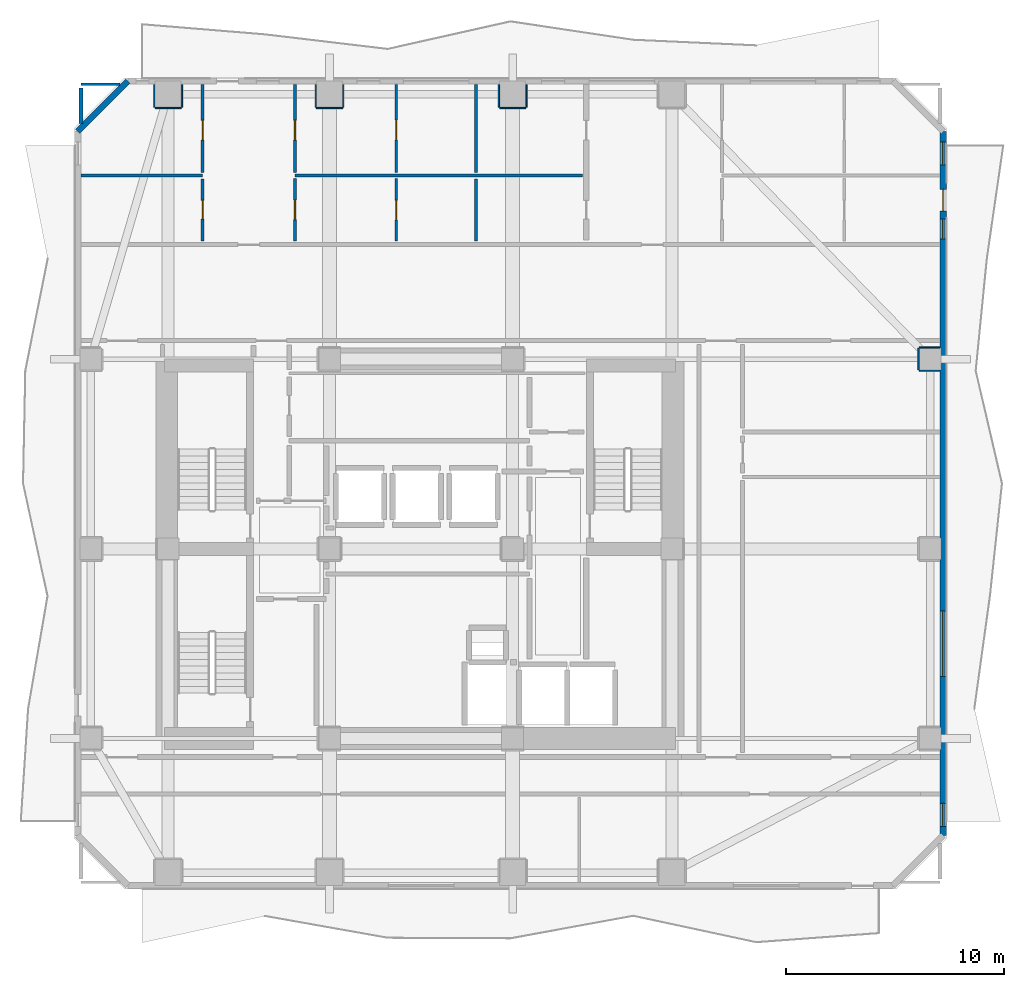
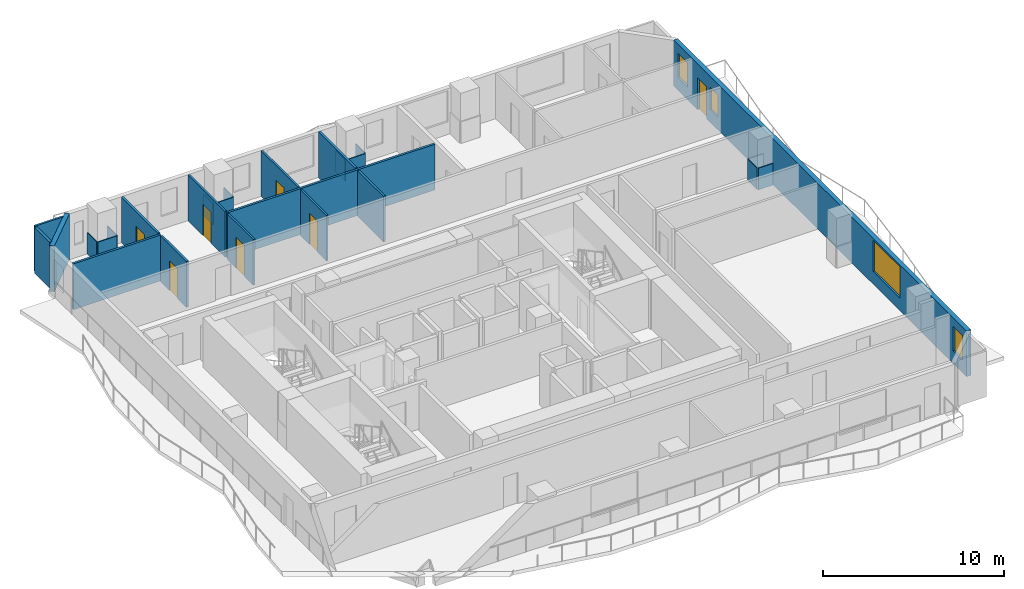
# One storey, part 5 of 11: 26 walls, 7 doors, 4 windows, 11 openings.
"""IFC4 building model written with IfcOpenShell, lengths in metres."""

from ifc_helpers import new_model, si_unit, direction, frame, frame_2d, origin, place, context, subcontext, project, spatial, rectangle, extrude, material, layer, layer_set, type_object, element, fill, save


model = new_model("IFC4")

# Units and contexts
model_context = context("Model", 3, precision=1e-05, world=origin(), true_north=direction((0.0, 1.0)))
body_context = subcontext(model_context, "Body", "Model", "MODEL_VIEW")
ifc_project = project(units=[si_unit("LENGTHUNIT", "METRE"), si_unit("AREAUNIT", "SQUARE_METRE"), si_unit("VOLUMEUNIT", "CUBIC_METRE"), si_unit("PLANEANGLEUNIT", "RADIAN"), si_unit("MASSUNIT", "GRAM", prefix="KILO")], contexts=[model_context])

# Site, building, storey
site_placement = place(None, origin())
site = spatial("IfcSite", under=ifc_project, at=site_placement, CompositionType="ELEMENT")
building_placement = place(site_placement, origin())
building = spatial("IfcBuilding", under=site, at=building_placement, Name="Solanera Arch Residences", CompositionType="ELEMENT")
storey_placement = place(building_placement, frame((0.0, 0.0, 159.199951171875)))
storey = spatial("IfcBuildingStorey", under=building, at=storey_placement, Name="L46", CompositionType="ELEMENT", Elevation=159.199951171875)

# Walls
ifc_material_1 = material(Name="Fire-Rated Gypsum Stud Partition", Category="gypsum")
ifc_layer_1 = layer(ifc_material_1, 0.06005859375)
ifc_layer_set_1 = layer_set([ifc_layer_1], Name="Fire-Rated Gypsum Stud Partition")
wall_type_1 = type_object("IfcWallType", Name="Column Acoustic Furring Wall 60", PredefinedType="PARTITIONING", material=ifc_layer_set_1)
wall_1_placement = place(storey_placement, frame((12.800048828125, 50.91796875, 0.0), z_axis=(0.0, 0.0, 1.0), x_axis=(1.0, 0.0, 0.0)))
element("IfcWall", 1, at=wall_1_placement, inside=storey, type_object=wall_type_1, Name="L46 Column Furring 10S", PredefinedType="PARTITIONING", context=body_context, shape_type="SweptSolid", body=[
    extrude(rectangle(XDim=1.199951171875, YDim=0.06005859375, at=frame_2d((0.60009765625, 0.0))), origin(), (0.0, 0.0, 1.0), 1.449951171875),
])
for number, where, z_axis, x_axis, name in (
    (2, (12.76806640625, 50.949951171875, 0.0), (0.0, 0.0, 1.0), (0.0, 1.0, 0.0), "L46 Column Furring 10W"),
    (3, (14.031982421875, 50.949951171875, 0.0), (0.0, 0.0, 1.0), (0.0, 1.0, 0.0), "L46 Column Furring 10E"),
):
    element("IfcWall", number, at=place(storey_placement, frame(where, z_axis=z_axis, x_axis=x_axis)), inside=storey, type_object=wall_type_1, Name=name, PredefinedType="PARTITIONING", context=body_context, shape_type="SweptSolid", body=[
        extrude(rectangle(XDim=1.0400390625, YDim=0.06005859375, at=frame_2d((0.52001953125, 0.0))), origin(), (0.0, 0.0, 1.0), 1.449951171875),
    ])
wall_2_placement = place(storey_placement, frame((20.199951171875, 50.91796875, 0.0), z_axis=(0.0, 0.0, 1.0), x_axis=(1.0, 0.0, 0.0)))
element("IfcWall", 4, at=wall_2_placement, inside=storey, type_object=wall_type_1, Name="L46 Column Furring 12S", PredefinedType="PARTITIONING", context=body_context, shape_type="SweptSolid", body=[
    extrude(rectangle(XDim=1.199951171875, YDim=0.06005859375, at=frame_2d((0.60009765625, 0.0))), origin(), (0.0, 0.0, 1.0), 1.449951171875),
])
for number, where, z_axis, x_axis, name in (
    (5, (20.16796875, 50.949951171875, 0.0), (0.0, 0.0, 1.0), (0.0, 1.0, 0.0), "L46 Column Furring 12W"),
    (6, (21.431884765625, 50.949951171875, 0.0), (0.0, 0.0, 1.0), (0.0, 1.0, 0.0), "L46 Column Furring 12E"),
):
    element("IfcWall", number, at=place(storey_placement, frame(where, z_axis=z_axis, x_axis=x_axis)), inside=storey, type_object=wall_type_1, Name=name, PredefinedType="PARTITIONING", context=body_context, shape_type="SweptSolid", body=[
        extrude(rectangle(XDim=1.0400390625, YDim=0.06005859375, at=frame_2d((0.52001953125, 0.0))), origin(), (0.0, 0.0, 1.0), 1.449951171875),
    ])
wall_3_placement = place(storey_placement, frame((28.60009765625, 50.91796875, 0.0), z_axis=(0.0, 0.0, 1.0), x_axis=(1.0, 0.0, 0.0)))
element("IfcWall", 7, at=wall_3_placement, inside=storey, type_object=wall_type_1, Name="L46 Column Furring 14S", PredefinedType="PARTITIONING", context=body_context, shape_type="SweptSolid", body=[
    extrude(rectangle(XDim=1.199951171875, YDim=0.06005859375, at=frame_2d((0.60009765625, 0.0))), origin(), (0.0, 0.0, 1.0), 1.449951171875),
])
for number, where, z_axis, x_axis, name in (
    (8, (28.568115234375, 50.949951171875, 0.0), (0.0, 0.0, 1.0), (0.0, 1.0, 0.0), "L46 Column Furring 14W"),
    (9, (29.83203125, 50.949951171875, 0.0), (0.0, 0.0, 1.0), (0.0, 1.0, 0.0), "L46 Column Furring 14E"),
):
    element("IfcWall", number, at=place(storey_placement, frame(where, z_axis=z_axis, x_axis=x_axis)), inside=storey, type_object=wall_type_1, Name=name, PredefinedType="PARTITIONING", context=body_context, shape_type="SweptSolid", body=[
        extrude(rectangle(XDim=1.0400390625, YDim=0.06005859375, at=frame_2d((0.52001953125, 0.0))), origin(), (0.0, 0.0, 1.0), 1.449951171875),
    ])
for number, where, z_axis, x_axis, name in (
    (10, (47.85009765625, 38.867919921875, 0.0), (0.0, 0.0, 1.0), (1.0, 0.0, 0.0), "L46 Column Furring 22S"),
    (11, (47.85009765625, 39.931884765625, 0.0), (0.0, 0.0, 1.0), (1.0, 0.0, 0.0), "L46 Column Furring 22N"),
):
    element("IfcWall", number, at=place(storey_placement, frame(where, z_axis=z_axis, x_axis=x_axis)), inside=storey, type_object=wall_type_1, Name=name, PredefinedType="PARTITIONING", context=body_context, shape_type="SweptSolid", body=[
        extrude(rectangle(XDim=0.93994140625, YDim=0.06005859375, at=frame_2d((0.469970703125, 0.0))), origin(), (0.0, 0.0, 1.0), 1.449951171875),
    ])
wall_4_placement = place(storey_placement, frame((47.818115234375, 38.89990234375, 0.0), z_axis=(0.0, 0.0, 1.0), x_axis=(0.0, 1.0, 0.0)))
element("IfcWall", 12, at=wall_4_placement, inside=storey, type_object=wall_type_1, Name="L46 Column Furring 22W", PredefinedType="PARTITIONING", context=body_context, shape_type="SweptSolid", body=[
    extrude(rectangle(XDim=1.0, YDim=0.06005859375, at=frame_2d((0.5, 0.0))), origin(), (0.0, 0.0, 1.0), 1.449951171875),
])
ifc_material_2 = material(Name="Autoclaved Aerated Concrete Blockwork", Category="masonry")
ifc_layer_2 = layer(ifc_material_2, 0.179931640625)
ifc_layer_set_2 = layer_set([ifc_layer_2], Name="Autoclaved Aerated Concrete Blockwork")
wall_type_2 = type_object("IfcWallType", Name="Corridor Fire Partition 180", PredefinedType="PARTITIONING", material=ifc_layer_set_2)
wall_5_placement = place(storey_placement, frame((9.39990234375, 50.205078125, 0.0), z_axis=(0.0, 0.0, 1.0), x_axis=(0.0, 1.0, 0.0)))
element("IfcWall", 13, at=wall_5_placement, inside=storey, type_object=wall_type_2, Name="L46 Interior Partition V8 2", PredefinedType="PARTITIONING", context=body_context, shape_type="SweptSolid", body=[
    extrude(rectangle(XDim=1.636962890625, YDim=0.179931640625, at=frame_2d((0.818359375, 0.0))), origin(), (0.0, 0.0, 1.0), 3.080078125),
])
ifc_material_3 = material(Name="Precast Concrete C35/45", Category="concrete")
ifc_layer_3 = layer(ifc_material_3, 0.280029296875)
ifc_layer_set_3 = layer_set([ifc_layer_3], Name="Precast Concrete C35/45")
wall_type_3 = type_object("IfcWallType", Name="Exterior Wall Precast Masonry-Frame 280", PredefinedType="STANDARD", material=ifc_layer_set_3)
wall_6_placement = place(storey_placement, frame((9.2548828125, 49.844970703125, 0.0), z_axis=(0.0, 0.0, 1.0), x_axis=(0.707106781187, 0.707106781187, 0.0)))
element("IfcWall", 14, at=wall_6_placement, inside=storey, type_object=wall_type_3, Name="L46 Tower Exterior Precast Masonry-Frame Wall CH1", PredefinedType="STANDARD", context=body_context, shape_type="SweptSolid", body=[
    extrude(rectangle(XDim=3.252685546875, YDim=0.280029296875, at=frame_2d((1.62646484375, 0.0))), origin(), (0.0, 0.0, 1.0), 3.080078125),
])

# Wall, openings, door, windows
wall_7_placement = place(storey_placement, frame((48.945068359375, 49.844970703125, 0.0), z_axis=(0.0, 0.0, 1.0), x_axis=(0.0, -1.0, 0.0)))
wall_7 = element("IfcWall", 15, at=wall_7_placement, inside=storey, type_object=wall_type_3, Name="L46 Tower Exterior Precast Masonry-Frame Wall E", PredefinedType="STANDARD", context=body_context, shape_type="SweptSolid", body=[
    extrude(rectangle(XDim=32.2900390625, YDim=0.280029296875, at=frame_2d((16.14501953125, 0.0))), origin(), (0.0, 0.0, 1.0), 3.080078125),
])
opening_1_placement = place(wall_7_placement, frame((2.658935546875, 0.0, 0.0)))
opening_1 = element("IfcOpeningElement", 16, at=opening_1_placement, cuts=wall_7, Name="Opening DB-01", PredefinedType="OPENING", context=body_context, shape_type="SweptSolid", body=[
    extrude(rectangle(XDim=1.0, YDim=2.14990234375, at=frame_2d((0.5, 1.074951171875))), frame((0.0, 0.14990234375, 0.0), z_axis=(0.0, -1.0, 0.0), x_axis=(1.0, 0.0, 0.0)), (0.0, 0.0, 1.0), 0.3),
])
opening_2_placement = place(wall_7_placement, frame((30.822021484375, 0.0, 0.85009765625)))
opening_2 = element("IfcOpeningElement", 17, at=opening_2_placement, cuts=wall_7, Name="Opening W-07", PredefinedType="OPENING", context=body_context, shape_type="SweptSolid", body=[
    extrude(rectangle(XDim=1.050048828125, YDim=1.64990234375, at=frame_2d((0.52490234375, 0.824951171875))), frame((0.0, 0.14990234375, 0.0), z_axis=(0.0, -1.0, 0.0), x_axis=(1.0, 0.0, 0.0)), (0.0, 0.0, 1.0), 0.3),
])
opening_3_placement = place(wall_7_placement, frame((4.027099609375, 0.0, 0.85009765625)))
opening_3 = element("IfcOpeningElement", 18, at=opening_3_placement, cuts=wall_7, Name="Opening W-06", PredefinedType="OPENING", context=body_context, shape_type="SweptSolid", body=[
    extrude(rectangle(XDim=0.89990234375, YDim=1.5, at=frame_2d((0.449951171875, 0.75))), frame((0.0, 0.14990234375, 0.0), z_axis=(0.0, -1.0, 0.0), x_axis=(1.0, 0.0, 0.0)), (0.0, 0.0, 1.0), 0.3),
])
opening_4_placement = place(wall_7_placement, frame((0.487060546875, 0.0, 0.85009765625)))
opening_4 = element("IfcOpeningElement", 19, at=opening_4_placement, cuts=wall_7, Name="Opening W-07", PredefinedType="OPENING", context=body_context, shape_type="SweptSolid", body=[
    extrude(rectangle(XDim=1.050048828125, YDim=1.64990234375, at=frame_2d((0.52490234375, 0.824951171875))), frame((0.0, 0.14990234375, 0.0), z_axis=(0.0, -1.0, 0.0), x_axis=(1.0, 0.0, 0.0)), (0.0, 0.0, 1.0), 0.3),
])
opening_5_placement = place(wall_7_placement, frame((21.9951171875, 0.0, 0.85009765625)))
opening_5 = element("IfcOpeningElement", 20, at=opening_5_placement, cuts=wall_7, Name="Opening W-12", PredefinedType="OPENING", context=body_context, shape_type="SweptSolid", body=[
    extrude(rectangle(XDim=3.0, YDim=2.10009765625, at=frame_2d((1.5, 1.050048828125))), frame((0.0, 0.14990234375, 0.0), z_axis=(0.0, -1.0, 0.0), x_axis=(1.0, 0.0, 0.0)), (0.0, 0.0, 1.0), 0.3),
])
ifc_material_4 = material(Name="Anodised Aluminium Alloy 6063-T6", Category="aluminium")
door_type_1 = type_object("IfcDoorType", Name="Glazed Balcony Swing Door DB-01", OperationType="NOTDEFINED", PredefinedType="DOOR", material=ifc_material_4)
door_1_placement = place(opening_1_placement, origin())
door_1 = element("IfcDoor", 21, at=door_1_placement, inside=storey, type_object=door_type_1, Name="DR-L46-OUT-03", OperationType="SINGLE_SWING_RIGHT", OverallHeight=2.14990234375, OverallWidth=1.0, PredefinedType="DOOR", context=body_context, shape_type="SweptSolid", body=[
    extrude(rectangle(XDim=1.0, YDim=2.14990234375, at=frame_2d((0.5, 1.074951171875))), frame((0.0, 0.02490234375, 0.0), z_axis=(0.0, -1.0, 0.0), x_axis=(1.0, 0.0, 0.0)), (0.0, 0.0, 1.0), 0.050048828125),
])
fill(opening_1, door_1)
ifc_material_5 = material(Name="Double Glazed Low-E Laminated Glass", Category="glass")
window_type_1 = type_object("IfcWindowType", Name="Punched Window W-06", PartitioningType="SINGLE_PANEL", PredefinedType="WINDOW", material=ifc_material_5)
window_1_placement = place(opening_3_placement, origin())
window_1 = element("IfcWindow", 22, at=window_1_placement, inside=storey, type_object=window_type_1, Name="L46 4602-STD Punched Window", OverallHeight=1.5, OverallWidth=0.89990234375, PartitioningType="SINGLE_PANEL", PredefinedType="WINDOW", context=body_context, shape_type="SweptSolid", body=[
    extrude(rectangle(XDim=0.89990234375, YDim=1.5, at=frame_2d((0.449951171875, 0.75))), frame((0.0, 0.030029296875, 0.0), z_axis=(0.0, -1.0, 0.0), x_axis=(1.0, 0.0, 0.0)), (0.0, 0.0, 1.0), 0.06005859375),
])
fill(opening_3, window_1)
ifc_material_6 = material(Name="Double Glazed Low-E Laminated Glass", Category="glass")
window_type_2 = type_object("IfcWindowType", Name="Punched Window W-07", PartitioningType="SINGLE_PANEL", PredefinedType="WINDOW", material=ifc_material_6)
window_2_placement = place(opening_2_placement, origin())
window_2 = element("IfcWindow", 23, at=window_2_placement, inside=storey, type_object=window_type_2, Name="L46 AMN-BRD Punched Window", OverallHeight=1.64990234375, OverallWidth=1.050048828125, PartitioningType="SINGLE_PANEL", PredefinedType="WINDOW", context=body_context, shape_type="SweptSolid", body=[
    extrude(rectangle(XDim=1.050048828125, YDim=1.64990234375, at=frame_2d((0.52490234375, 0.824951171875))), frame((0.0, 0.030029296875, 0.0), z_axis=(0.0, -1.0, 0.0), x_axis=(1.0, 0.0, 0.0)), (0.0, 0.0, 1.0), 0.06005859375),
])
fill(opening_2, window_2)
window_3_placement = place(opening_4_placement, origin())
window_3 = element("IfcWindow", 24, at=window_3_placement, inside=storey, type_object=window_type_2, Name="L46 4602-BR3 Punched Window", OverallHeight=1.64990234375, OverallWidth=1.050048828125, PartitioningType="SINGLE_PANEL", PredefinedType="WINDOW", context=body_context, shape_type="SweptSolid", body=[
    extrude(rectangle(XDim=1.050048828125, YDim=1.64990234375, at=frame_2d((0.52490234375, 0.824951171875))), frame((0.0, 0.030029296875, 0.0), z_axis=(0.0, -1.0, 0.0), x_axis=(1.0, 0.0, 0.0)), (0.0, 0.0, 1.0), 0.06005859375),
])
fill(opening_4, window_3)
ifc_material_7 = material(Name="Double Glazed Low-E Laminated Glass", Category="glass")
window_type_3 = type_object("IfcWindowType", Name="Punched Window W-12", PartitioningType="TRIPLE_PANEL_VERTICAL", PredefinedType="WINDOW", material=ifc_material_7)
window_4_placement = place(opening_5_placement, origin())
window_4 = element("IfcWindow", 25, at=window_4_placement, inside=storey, type_object=window_type_3, Name="L46 AMN-BIL Punched Window", OverallHeight=2.10009765625, OverallWidth=3.0, PartitioningType="SINGLE_PANEL", PredefinedType="WINDOW", context=body_context, shape_type="SweptSolid", body=[
    extrude(rectangle(XDim=3.0, YDim=2.10009765625, at=frame_2d((1.5, 1.050048828125))), frame((0.0, 0.030029296875, 0.0), z_axis=(0.0, -1.0, 0.0), x_axis=(1.0, 0.0, 0.0)), (0.0, 0.0, 1.0), 0.06005859375),
])
fill(opening_5, window_4)

# Wall
ifc_material_8 = material(Name="Fire-Rated Gypsum Stud Partition", Category="gypsum")
ifc_layer_4 = layer(ifc_material_8, 0.1201171875)
ifc_layer_set_4 = layer_set([ifc_layer_4], Name="Fire-Rated Gypsum Stud Partition")
wall_type_4 = type_object("IfcWallType", Name="Unit Drywall Partition 120", PredefinedType="PARTITIONING", material=ifc_layer_set_4)
wall_8_placement = place(storey_placement, frame((9.39990234375, 52.0, 0.0), z_axis=(0.0, 0.0, 1.0), x_axis=(1.0, 0.0, 0.0)))
element("IfcWall", 26, at=wall_8_placement, inside=storey, type_object=wall_type_4, Name="L46 Interior Partition H20 1", PredefinedType="PARTITIONING", context=body_context, shape_type="SweptSolid", body=[
    extrude(rectangle(XDim=1.795166015625, YDim=0.1201171875, at=frame_2d((0.8974609375, 0.0))), origin(), (0.0, 0.0, 1.0), 3.080078125),
])

# Wall, opening, door
wall_9_placement = place(storey_placement, frame((19.219970703125, 44.80810546875, 0.0), z_axis=(0.0, 0.0, 1.0), x_axis=(0.0, 1.0, 0.0)))
wall_9 = element("IfcWall", 27, at=wall_9_placement, inside=storey, type_object=wall_type_4, Name="L46 Interior Partition V16 1", PredefinedType="PARTITIONING", context=body_context, shape_type="SweptSolid", body=[
    extrude(rectangle(XDim=2.864013671875, YDim=0.1201171875, at=frame_2d((1.43212890625, 0.0))), origin(), (0.0, 0.0, 1.0), 3.080078125),
])
opening_6_placement = place(wall_9_placement, frame((0.985107421875, 0.0, 0.0)))
opening_6 = element("IfcOpeningElement", 28, at=opening_6_placement, cuts=wall_9, Name="Opening DI-02", PredefinedType="OPENING", context=body_context, shape_type="SweptSolid", body=[
    extrude(rectangle(XDim=0.89990234375, YDim=2.10009765625, at=frame_2d((0.449951171875, 1.050048828125))), frame((0.0, 0.070068359375, 0.0), z_axis=(0.0, -1.0, 0.0), x_axis=(1.0, 0.0, 0.0)), (0.0, 0.0, 1.0), 0.1401),
])
ifc_material_9 = material(Name="Fire-Rated Architectural Hardwood", Category="wood")
door_type_2 = type_object("IfcDoorType", Name="Suite Room Swing Door DI-02", OperationType="NOTDEFINED", PredefinedType="DOOR", material=ifc_material_9)
door_2_placement = place(opening_6_placement, origin())
door_2 = element("IfcDoor", 29, at=door_2_placement, inside=storey, type_object=door_type_2, Name="DR-L46-IN-022", OperationType="SINGLE_SWING_LEFT", OverallHeight=2.10009765625, OverallWidth=0.89990234375, PredefinedType="DOOR", context=body_context, shape_type="SweptSolid", body=[
    extrude(rectangle(XDim=0.89990234375, YDim=2.10009765625, at=frame_2d((0.449951171875, 1.050048828125))), frame((0.0, 0.02490234375, 0.0), z_axis=(0.0, -1.0, 0.0), x_axis=(1.0, 0.0, 0.0)), (0.0, 0.0, 1.0), 0.050048828125),
])
fill(opening_6, door_2)

wall_10_placement = place(storey_placement, frame((19.219970703125, 47.947998046875, 0.0), z_axis=(0.0, 0.0, 1.0), x_axis=(0.0, 1.0, 0.0)))
wall_10 = element("IfcWall", 30, at=wall_10_placement, inside=storey, type_object=wall_type_4, Name="L46 Interior Partition V16 2", PredefinedType="PARTITIONING", context=body_context, shape_type="SweptSolid", body=[
    extrude(rectangle(XDim=4.044921875, YDim=0.1201171875, at=frame_2d((2.0224609375, 0.0))), origin(), (0.0, 0.0, 1.0), 3.080078125),
])
opening_7_placement = place(wall_10_placement, frame((1.493896484375, 0.0, 0.0)))
opening_7 = element("IfcOpeningElement", 31, at=opening_7_placement, cuts=wall_10, Name="Opening DI-03", PredefinedType="OPENING", context=body_context, shape_type="SweptSolid", body=[
    extrude(rectangle(XDim=0.89990234375, YDim=2.10009765625, at=frame_2d((0.449951171875, 1.050048828125))), frame((0.0, 0.070068359375, 0.0), z_axis=(0.0, -1.0, 0.0), x_axis=(1.0, 0.0, 0.0)), (0.0, 0.0, 1.0), 0.1401),
])
ifc_material_10 = material(Name="Fire-Rated Architectural Hardwood", Category="wood")
door_type_3 = type_object("IfcDoorType", Name="Bedroom Swing Door DI-03", OperationType="NOTDEFINED", PredefinedType="DOOR", material=ifc_material_10)
door_3_placement = place(opening_7_placement, origin())
door_3 = element("IfcDoor", 32, at=door_3_placement, inside=storey, type_object=door_type_3, Name="DR-L46-IN-024", OperationType="SINGLE_SWING_LEFT", OverallHeight=2.10009765625, OverallWidth=0.89990234375, PredefinedType="DOOR", context=body_context, shape_type="SweptSolid", body=[
    extrude(rectangle(XDim=0.89990234375, YDim=2.10009765625, at=frame_2d((0.449951171875, 1.050048828125))), frame((0.0, 0.02490234375, 0.0), z_axis=(0.0, -1.0, 0.0), x_axis=(1.0, 0.0, 0.0)), (0.0, 0.0, 1.0), 0.050048828125),
])
fill(opening_7, door_3)

wall_11_placement = place(storey_placement, frame((23.867919921875, 44.80810546875, 0.0), z_axis=(0.0, 0.0, 1.0), x_axis=(0.0, 1.0, 0.0)))
wall_11 = element("IfcWall", 33, at=wall_11_placement, inside=storey, type_object=wall_type_4, Name="L46 Interior Partition V17 1", PredefinedType="PARTITIONING", context=body_context, shape_type="SweptSolid", body=[
    extrude(rectangle(XDim=2.864013671875, YDim=0.1201171875, at=frame_2d((1.43212890625, 0.0))), origin(), (0.0, 0.0, 1.0), 3.080078125),
])
opening_8_placement = place(wall_11_placement, frame((0.971923828125, 0.0, 0.0)))
opening_8 = element("IfcOpeningElement", 34, at=opening_8_placement, cuts=wall_11, Name="Opening DI-02", PredefinedType="OPENING", context=body_context, shape_type="SweptSolid", body=[
    extrude(rectangle(XDim=0.89990234375, YDim=2.10009765625, at=frame_2d((0.449951171875, 1.050048828125))), frame((0.0, 0.070068359375, 0.0), z_axis=(0.0, -1.0, 0.0), x_axis=(1.0, 0.0, 0.0)), (0.0, 0.0, 1.0), 0.1401),
])
door_4_placement = place(opening_8_placement, origin())
door_4 = element("IfcDoor", 35, at=door_4_placement, inside=storey, type_object=door_type_2, Name="DR-L46-IN-023", OperationType="SINGLE_SWING_RIGHT", OverallHeight=2.10009765625, OverallWidth=0.89990234375, PredefinedType="DOOR", context=body_context, shape_type="SweptSolid", body=[
    extrude(rectangle(XDim=0.89990234375, YDim=2.10009765625, at=frame_2d((0.449951171875, 1.050048828125))), frame((0.0, 0.02490234375, 0.0), z_axis=(0.0, -1.0, 0.0), x_axis=(1.0, 0.0, 0.0)), (0.0, 0.0, 1.0), 0.050048828125),
])
fill(opening_8, door_4)

wall_12_placement = place(storey_placement, frame((23.867919921875, 47.947998046875, 0.0), z_axis=(0.0, 0.0, 1.0), x_axis=(0.0, 1.0, 0.0)))
wall_12 = element("IfcWall", 36, at=wall_12_placement, inside=storey, type_object=wall_type_4, Name="L46 Interior Partition V17 2", PredefinedType="PARTITIONING", context=body_context, shape_type="SweptSolid", body=[
    extrude(rectangle(XDim=4.044921875, YDim=0.1201171875, at=frame_2d((2.0224609375, 0.0))), origin(), (0.0, 0.0, 1.0), 3.080078125),
])
opening_9_placement = place(wall_12_placement, frame((1.507080078125, 0.0, 0.0)))
opening_9 = element("IfcOpeningElement", 37, at=opening_9_placement, cuts=wall_12, Name="Opening DI-03", PredefinedType="OPENING", context=body_context, shape_type="SweptSolid", body=[
    extrude(rectangle(XDim=0.89990234375, YDim=2.10009765625, at=frame_2d((0.449951171875, 1.050048828125))), frame((0.0, 0.070068359375, 0.0), z_axis=(0.0, -1.0, 0.0), x_axis=(1.0, 0.0, 0.0)), (0.0, 0.0, 1.0), 0.1401),
])
door_5_placement = place(opening_9_placement, origin())
door_5 = element("IfcDoor", 38, at=door_5_placement, inside=storey, type_object=door_type_3, Name="DR-L46-IN-025", OperationType="SINGLE_SWING_RIGHT", OverallHeight=2.10009765625, OverallWidth=0.89990234375, PredefinedType="DOOR", context=body_context, shape_type="SweptSolid", body=[
    extrude(rectangle(XDim=0.89990234375, YDim=2.10009765625, at=frame_2d((0.449951171875, 1.050048828125))), frame((0.0, 0.02490234375, 0.0), z_axis=(0.0, -1.0, 0.0), x_axis=(1.0, 0.0, 0.0)), (0.0, 0.0, 1.0), 0.050048828125),
])
fill(opening_9, door_5)

# Walls
ifc_material_11 = material(Name="Autoclaved Aerated Concrete Blockwork", Category="masonry")
ifc_layer_5 = layer(ifc_material_11, 0.139892578125)
ifc_layer_set_5 = layer_set([ifc_layer_5], Name="Autoclaved Aerated Concrete Blockwork")
wall_type_5 = type_object("IfcWallType", Name="Wet-Room Partition 140", PredefinedType="PARTITIONING", material=ifc_layer_set_5)
wall_13_placement = place(storey_placement, frame((9.406982421875, 47.81005859375, 0.0), z_axis=(0.0, 0.0, 1.0), x_axis=(1.0, 0.0, 0.0)))
element("IfcWall", 39, at=wall_13_placement, inside=storey, type_object=wall_type_5, Name="L46 Interior Partition H15", PredefinedType="PARTITIONING", context=body_context, shape_type="SweptSolid", body=[
    extrude(rectangle(XDim=5.572998046875, YDim=0.139892578125, at=frame_2d((2.78662109375, 0.0))), origin(), (0.0, 0.0, 1.0), 3.080078125),
])
wall_14_placement = place(storey_placement, frame((19.219970703125, 47.81005859375, 0.0), z_axis=(0.0, 0.0, 1.0), x_axis=(1.0, 0.0, 0.0)))
element("IfcWall", 40, at=wall_14_placement, inside=storey, type_object=wall_type_5, Name="L46 Interior Partition H16", PredefinedType="PARTITIONING", context=body_context, shape_type="SweptSolid", body=[
    extrude(rectangle(XDim=13.194091796875, YDim=0.139892578125, at=frame_2d((6.59716796875, 0.0))), origin(), (0.0, 0.0, 1.0), 3.080078125),
])

# Wall, opening, door
wall_15_placement = place(storey_placement, frame((14.97998046875, 44.818115234375, 0.0), z_axis=(0.0, 0.0, 1.0), x_axis=(0.0, 1.0, 0.0)))
wall_15 = element("IfcWall", 41, at=wall_15_placement, inside=storey, type_object=wall_type_5, Name="L46 Interior Partition V14 1", PredefinedType="PARTITIONING", context=body_context, shape_type="SweptSolid", body=[
    extrude(rectangle(XDim=2.843994140625, YDim=0.139892578125, at=frame_2d((1.421875, 0.0))), origin(), (0.0, 0.0, 1.0), 3.080078125),
])
opening_10_placement = place(wall_15_placement, frame((0.9951171875, 0.0, 0.0)))
opening_10 = element("IfcOpeningElement", 42, at=opening_10_placement, cuts=wall_15, Name="Opening DI-05", PredefinedType="OPENING", context=body_context, shape_type="SweptSolid", body=[
    extrude(rectangle(XDim=0.860107421875, YDim=2.02001953125, at=frame_2d((0.43017578125, 1.010009765625))), frame((0.0, 0.079833984375, 0.0), z_axis=(0.0, -1.0, 0.0), x_axis=(1.0, 0.0, 0.0)), (0.0, 0.0, 1.0), 0.1599),
])
ifc_material_12 = material(Name="Fire-Rated Architectural Hardwood", Category="wood")
door_type_4 = type_object("IfcDoorType", Name="Bathroom Swing Door DI-05", OperationType="NOTDEFINED", PredefinedType="DOOR", material=ifc_material_12)
door_6_placement = place(opening_10_placement, origin())
door_6 = element("IfcDoor", 43, at=door_6_placement, inside=storey, type_object=door_type_4, Name="DR-L46-IN-020", OperationType="SINGLE_SWING_LEFT", OverallHeight=2.02001953125, OverallWidth=0.860107421875, PredefinedType="DOOR", context=body_context, shape_type="SweptSolid", body=[
    extrude(rectangle(XDim=0.860107421875, YDim=2.02001953125, at=frame_2d((0.43017578125, 1.010009765625))), frame((0.0, 0.02490234375, 0.0), z_axis=(0.0, -1.0, 0.0), x_axis=(1.0, 0.0, 0.0)), (0.0, 0.0, 1.0), 0.050048828125),
])
fill(opening_10, door_6)

wall_16_placement = place(storey_placement, frame((14.97998046875, 47.9580078125, 0.0), z_axis=(0.0, 0.0, 1.0), x_axis=(0.0, 1.0, 0.0)))
wall_16 = element("IfcWall", 44, at=wall_16_placement, inside=storey, type_object=wall_type_5, Name="L46 Interior Partition V14 2", PredefinedType="PARTITIONING", context=body_context, shape_type="SweptSolid", body=[
    extrude(rectangle(XDim=4.034912109375, YDim=0.139892578125, at=frame_2d((2.017578125, 0.0))), origin(), (0.0, 0.0, 1.0), 3.080078125),
])
opening_11_placement = place(wall_16_placement, frame((1.48388671875, 0.0, 0.0)))
opening_11 = element("IfcOpeningElement", 45, at=opening_11_placement, cuts=wall_16, Name="Opening DI-03", PredefinedType="OPENING", context=body_context, shape_type="SweptSolid", body=[
    extrude(rectangle(XDim=0.89990234375, YDim=2.10009765625, at=frame_2d((0.449951171875, 1.050048828125))), frame((0.0, 0.079833984375, 0.0), z_axis=(0.0, -1.0, 0.0), x_axis=(1.0, 0.0, 0.0)), (0.0, 0.0, 1.0), 0.1599),
])
door_7_placement = place(opening_11_placement, origin())
door_7 = element("IfcDoor", 46, at=door_7_placement, inside=storey, type_object=door_type_3, Name="DR-L46-IN-021", OperationType="SINGLE_SWING_RIGHT", OverallHeight=2.10009765625, OverallWidth=0.89990234375, PredefinedType="DOOR", context=body_context, shape_type="SweptSolid", body=[
    extrude(rectangle(XDim=0.89990234375, YDim=2.10009765625, at=frame_2d((0.449951171875, 1.050048828125))), frame((0.0, 0.02490234375, 0.0), z_axis=(0.0, -1.0, 0.0), x_axis=(1.0, 0.0, 0.0)), (0.0, 0.0, 1.0), 0.050048828125),
])
fill(opening_11, door_7)

# Walls
wall_17_placement = place(storey_placement, frame((27.52001953125, 44.818115234375, 0.0), z_axis=(0.0, 0.0, 1.0), x_axis=(0.0, 1.0, 0.0)))
element("IfcWall", 47, at=wall_17_placement, inside=storey, type_object=wall_type_5, Name="L46 Interior Partition V15 1", PredefinedType="PARTITIONING", context=body_context, shape_type="SweptSolid", body=[
    extrude(rectangle(XDim=2.843994140625, YDim=0.139892578125, at=frame_2d((1.421875, 0.0))), origin(), (0.0, 0.0, 1.0), 3.080078125),
])
wall_18_placement = place(storey_placement, frame((27.52001953125, 47.9580078125, 0.0), z_axis=(0.0, 0.0, 1.0), x_axis=(0.0, 1.0, 0.0)))
element("IfcWall", 48, at=wall_18_placement, inside=storey, type_object=wall_type_5, Name="L46 Interior Partition V15 2", PredefinedType="PARTITIONING", context=body_context, shape_type="SweptSolid", body=[
    extrude(rectangle(XDim=4.034912109375, YDim=0.139892578125, at=frame_2d((2.017578125, 0.0))), origin(), (0.0, 0.0, 1.0), 3.080078125),
])

save(model, "model.ifc")
